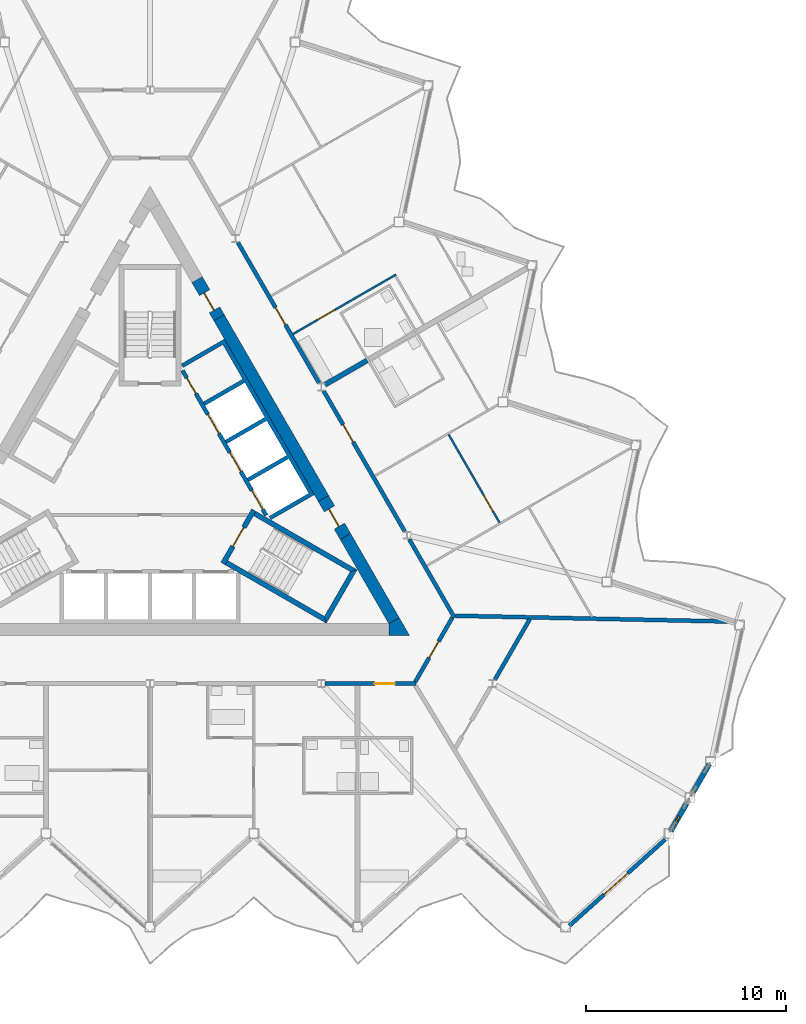
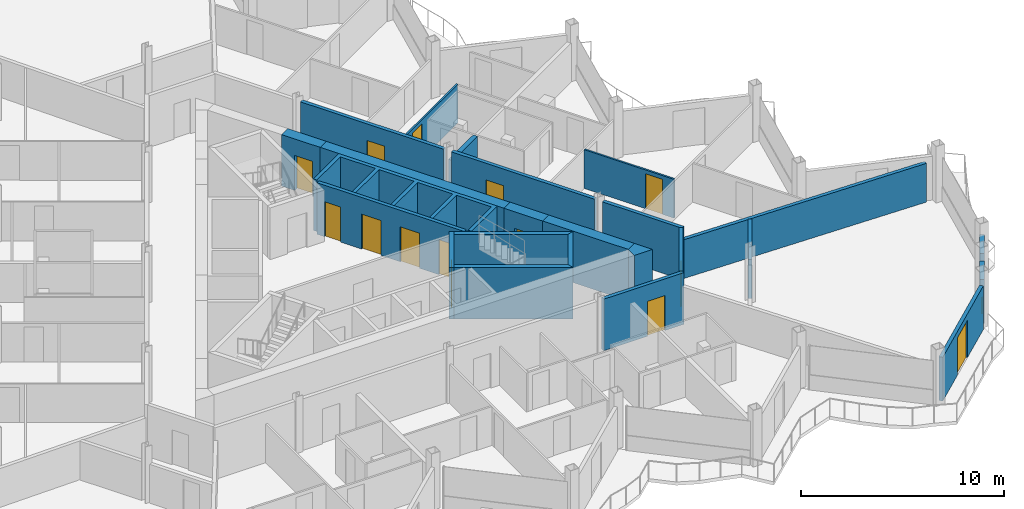
# One storey, part 15 of 25: 24 walls, 14 doors, 1 window, 15 openings.
"""IFC4 building model written with IfcOpenShell, lengths in metres."""

from ifc_helpers import new_model, si_unit, direction, frame, frame_2d, origin, place, context, subcontext, project, spatial, polyline, rectangle, outline, extrude, material, layer, layer_set, type_object, element, fill, save


model = new_model("IFC4")

# Units and contexts
model_context = context("Model", 3, precision=1e-05, world=origin(), true_north=direction((0.0, 1.0)))
body_context = subcontext(model_context, "Body", "Model", "MODEL_VIEW")
ifc_project = project(units=[si_unit("LENGTHUNIT", "METRE"), si_unit("AREAUNIT", "SQUARE_METRE"), si_unit("VOLUMEUNIT", "CUBIC_METRE"), si_unit("PLANEANGLEUNIT", "RADIAN"), si_unit("MASSUNIT", "GRAM", prefix="KILO")], contexts=[model_context])

# Site, building, storey
site_placement = place(None, origin())
site = spatial("IfcSite", under=ifc_project, at=site_placement, CompositionType="ELEMENT")
building_placement = place(site_placement, origin())
building = spatial("IfcBuilding", under=site, at=building_placement, Name="Cormorant Prow Tower", CompositionType="ELEMENT")
storey_placement = place(building_placement, frame((0.0, 0.0, 391.60009765625)))
storey = spatial("IfcBuildingStorey", under=building, at=storey_placement, Name="L89", CompositionType="ELEMENT", Elevation=391.60009765625)

# Walls
ifc_material_1 = material(Name="Concrete 8000 psi", Category="concrete")
ifc_layer_1 = layer(ifc_material_1, 0.60009765625)
ifc_layer_set_1 = layer_set([ifc_layer_1], Name="Concrete 8000 psi")
wall_type_1 = type_object("IfcWallType", Name="Core shear wall 600", PredefinedType="SHEAR", material=ifc_layer_set_1)
wall_1_placement = place(storey_placement, frame((8.686279296875, -0.6337890625, 0.0), z_axis=(0.0, 0.0, 1.0), x_axis=(-0.50001836461, 0.866014800712, 0.0)))
element("IfcWall", 1, at=wall_1_placement, inside=storey, type_object=wall_type_1, Name="Core wall", PredefinedType="SHEAR", context=body_context, shape_type="SweptSolid", body=[
    extrude(rectangle(XDim=10.45068359375, YDim=0.60009765625, at=frame_2d((5.225341796875, 0.0))), origin(), (0.0, 0.0, 1.0), 3.099853515625),
])
wall_2_placement = place(storey_placement, frame((12.220703125, -6.755615234375, 0.0), z_axis=(0.0, 0.0, 1.0), x_axis=(-0.50000604952, 0.866021911064, 0.0)))
element("IfcWall", 2, at=wall_2_placement, inside=storey, type_object=wall_type_1, Name="Core wall", PredefinedType="SHEAR", context=body_context, shape_type="SweptSolid", body=[
    extrude(rectangle(XDim=4.86865234375, YDim=0.60009765625, at=frame_2d((2.434326171875, 0.0))), origin(), (0.0, 0.0, 1.0), 3.099853515625),
])
wall_3_placement = place(storey_placement, origin())
element("IfcWall", 3, at=wall_3_placement, inside=storey, type_object=wall_type_1, Name="Core wall corner", PredefinedType="SHEAR", context=body_context, shape_type="SweptSolid", body=[
    extrude(outline(polyline([(11.960693359375, -7.505615234375), (11.960693359375, -6.905517578125), (12.48046875, -6.605712890625), (13.0, -7.505615234375), (11.960693359375, -7.505615234375)])), origin(), (0.0, 0.0, 1.0), 3.099853515625),
])

# Wall, opening, door
wall_4_placement = place(storey_placement, frame((9.786376953125, -2.539306640625, 0.0), z_axis=(0.0, 0.0, 1.0), x_axis=(-0.499981787252, 0.866035918664, 0.0)))
wall_4 = element("IfcWall", 4, at=wall_4_placement, inside=storey, type_object=wall_type_1, Name="Core wall door panel", PredefinedType="SHEAR", context=body_context, shape_type="SweptSolid", body=[
    extrude(rectangle(XDim=2.2001953125, YDim=0.60009765625, at=frame_2d((1.10009765625, 0.0))), origin(), (0.0, 0.0, 1.0), 3.099853515625),
])
opening_1_placement = place(wall_4_placement, frame((0.60009765625, 0.0, 0.0)))
opening_1 = element("IfcOpeningElement", 5, at=opening_1_placement, cuts=wall_4, Name="Opening L89-C16", PredefinedType="OPENING", context=body_context, shape_type="SweptSolid", body=[
    extrude(rectangle(XDim=1.0, YDim=2.10009765625, at=frame_2d((0.5, 1.050048828125))), frame((0.0, 0.31005859375, 0.0), z_axis=(0.0, -1.0, 0.0), x_axis=(1.0, 0.0, 0.0)), (0.0, 0.0, 1.0), 0.6201171875),
])
ifc_material_2 = material(Name="Painted steel", Category="steel")
door_type_1 = type_object("IfcDoorType", Name="Service door 1000x2100", OperationType="NOTDEFINED", PredefinedType="DOOR", material=ifc_material_2)
door_1_placement = place(opening_1_placement, origin())
door_1 = element("IfcDoor", 6, at=door_1_placement, inside=storey, type_object=door_type_1, Name="Core door, Telecom room", OperationType="SINGLE_SWING_LEFT", OverallHeight=2.10009765625, OverallWidth=1.0, PredefinedType="DOOR", context=body_context, shape_type="SweptSolid", body=[
    extrude(rectangle(XDim=1.0, YDim=2.10009765625, at=frame_2d((0.5, 1.050048828125))), frame((0.0, 0.05517578125, 0.0), z_axis=(0.0, -1.0, 0.0), x_axis=(1.0, 0.0, 0.0)), (0.0, 0.0, 1.0), 0.050048828125),
])
fill(opening_1, door_1)

wall_5_placement = place(storey_placement, frame((3.460693359375, 8.416748046875, 0.0), z_axis=(0.0, 0.0, 1.0), x_axis=(-0.499946605688, 0.86605622881, 0.0)))
wall_5 = element("IfcWall", 7, at=wall_5_placement, inside=storey, type_object=wall_type_1, Name="Core wall door panel", PredefinedType="SHEAR", context=body_context, shape_type="SweptSolid", body=[
    extrude(rectangle(XDim=2.199951171875, YDim=0.60009765625, at=frame_2d((1.10009765625, 0.0))), origin(), (0.0, 0.0, 1.0), 3.099853515625),
])
opening_2_placement = place(wall_5_placement, frame((0.449951171875, 0.0, 0.0)))
opening_2 = element("IfcOpeningElement", 8, at=opening_2_placement, cuts=wall_5, Name="Opening L89-C17", PredefinedType="OPENING", context=body_context, shape_type="SweptSolid", body=[
    extrude(rectangle(XDim=1.0, YDim=2.10009765625, at=frame_2d((0.5, 1.050048828125))), frame((0.0, 0.31005859375, 0.0), z_axis=(0.0, -1.0, 0.0), x_axis=(1.0, 0.0, 0.0)), (0.0, 0.0, 1.0), 0.6201171875),
])
door_2_placement = place(opening_2_placement, origin())
door_2 = element("IfcDoor", 9, at=door_2_placement, inside=storey, type_object=door_type_1, Name="Core door, Mechanical riser room", OperationType="SINGLE_SWING_RIGHT", OverallHeight=2.10009765625, OverallWidth=1.0, PredefinedType="DOOR", context=body_context, shape_type="SweptSolid", body=[
    extrude(rectangle(XDim=1.0, YDim=2.10009765625, at=frame_2d((0.5, 1.050048828125))), frame((0.0, 0.05517578125, 0.0), z_axis=(0.0, -1.0, 0.0), x_axis=(1.0, 0.0, 0.0)), (0.0, 0.0, 1.0), 0.050048828125),
])
fill(opening_2, door_2)

ifc_material_3 = material(Name="Gypsum board corridor wall")
ifc_layer_2 = layer(ifc_material_3, 0.199951171875)
ifc_layer_set_2 = layer_set([ifc_layer_2], Name="Gypsum board corridor wall")
wall_type_2 = type_object("IfcWallType", Name="Corridor wall 200", PredefinedType="PARTITIONING", material=ifc_layer_set_2)
wall_6_placement = place(storey_placement, frame((4.403076171875, 12.184814453125, 0.0), z_axis=(0.0, 0.0, 1.0), x_axis=(0.499992155518, -0.866029932751, 0.0)))
wall_6 = element("IfcWall", 10, at=wall_6_placement, inside=storey, type_object=wall_type_2, Name="Corridor wall", PredefinedType="PARTITIONING", context=body_context, shape_type="SweptSolid", body=[
    extrude(rectangle(XDim=8.123291015625, YDim=0.199951171875, at=frame_2d((4.0615234375, 0.0))), origin(), (0.0, 0.0, 1.0), 3.099853515625),
])
opening_3_placement = place(wall_6_placement, frame((3.762451171875, 0.0, 0.0)))
opening_3 = element("IfcOpeningElement", 11, at=opening_3_placement, cuts=wall_6, Name="Opening L89-F25", PredefinedType="OPENING", context=body_context, shape_type="SweptSolid", body=[
    extrude(rectangle(XDim=1.0, YDim=2.10009765625, at=frame_2d((0.5, 1.050048828125))), frame((0.0, 0.10986328125, 0.0), z_axis=(0.0, -1.0, 0.0), x_axis=(1.0, 0.0, 0.0)), (0.0, 0.0, 1.0), 0.219970703125),
])
ifc_material_4 = material(Name="Timber door leaf", Category="wood")
door_type_2 = type_object("IfcDoorType", Name="Flat or room entrance door 1000x2100", OperationType="NOTDEFINED", PredefinedType="DOOR", material=ifc_material_4)
door_3_placement = place(opening_3_placement, origin())
door_3 = element("IfcDoor", 12, at=door_3_placement, inside=storey, type_object=door_type_2, Name="Living room door", OperationType="SINGLE_SWING_LEFT", OverallHeight=2.10009765625, OverallWidth=1.0, PredefinedType="DOOR", context=body_context, shape_type="SweptSolid", body=[
    extrude(rectangle(XDim=1.0, YDim=2.10009765625, at=frame_2d((0.5, 1.050048828125))), frame((0.0, 0.02490234375, 0.0), z_axis=(0.0, -1.0, 0.0), x_axis=(1.0, 0.0, 0.0)), (0.0, 0.0, 1.0), 0.050048828125),
])
fill(opening_3, door_3)

wall_7_placement = place(storey_placement, frame((8.692138671875, 4.755859375, 0.0), z_axis=(0.0, 0.0, 1.0), x_axis=(0.500001682468, -0.866024432409, 0.0)))
wall_7 = element("IfcWall", 13, at=wall_7_placement, inside=storey, type_object=wall_type_2, Name="Corridor wall", PredefinedType="PARTITIONING", context=body_context, shape_type="SweptSolid", body=[
    extrude(rectangle(XDim=8.12353515625, YDim=0.199951171875, at=frame_2d((4.061767578125, 0.0))), origin(), (0.0, 0.0, 1.0), 3.099853515625),
])
opening_4_placement = place(wall_7_placement, frame((1.9560546875, 0.0, 0.0)))
opening_4 = element("IfcOpeningElement", 14, at=opening_4_placement, cuts=wall_7, Name="Opening L89-F18", PredefinedType="OPENING", context=body_context, shape_type="SweptSolid", body=[
    extrude(rectangle(XDim=1.0, YDim=2.10009765625, at=frame_2d((0.5, 1.050048828125))), frame((0.0, 0.10986328125, 0.0), z_axis=(0.0, -1.0, 0.0), x_axis=(1.0, 0.0, 0.0)), (0.0, 0.0, 1.0), 0.219970703125),
])
door_4_placement = place(opening_4_placement, origin())
door_4 = element("IfcDoor", 15, at=door_4_placement, inside=storey, type_object=door_type_2, Name="Living room door", OperationType="SINGLE_SWING_LEFT", OverallHeight=2.10009765625, OverallWidth=1.0, PredefinedType="DOOR", context=body_context, shape_type="SweptSolid", body=[
    extrude(rectangle(XDim=1.0, YDim=2.10009765625, at=frame_2d((0.5, 1.050048828125))), frame((0.0, 0.02490234375, 0.0), z_axis=(0.0, -1.0, 0.0), x_axis=(1.0, 0.0, 0.0)), (0.0, 0.0, 1.0), 0.050048828125),
])
fill(opening_4, door_4)

wall_8_placement = place(storey_placement, frame((8.775390625, -9.905517578125, 0.0), z_axis=(0.0, 0.0, 1.0), x_axis=(1.0, 0.0, 0.0)))
wall_8 = element("IfcWall", 16, at=wall_8_placement, inside=storey, type_object=wall_type_2, Name="Corridor wall", PredefinedType="PARTITIONING", context=body_context, shape_type="SweptSolid", body=[
    extrude(rectangle(XDim=4.555419921875, YDim=0.199951171875, at=frame_2d((2.27783203125, 0.0))), origin(), (0.0, 0.0, 1.0), 3.099853515625),
])
opening_5_placement = place(wall_8_placement, frame((2.49072265625, 0.0, 0.0)))
opening_5 = element("IfcOpeningElement", 17, at=opening_5_placement, cuts=wall_8, Name="Opening L89-F14", PredefinedType="OPENING", context=body_context, shape_type="SweptSolid", body=[
    extrude(rectangle(XDim=1.0, YDim=2.10009765625, at=frame_2d((0.5, 1.050048828125))), frame((0.0, 0.10986328125, 0.0), z_axis=(0.0, -1.0, 0.0), x_axis=(1.0, 0.0, 0.0)), (0.0, 0.0, 1.0), 0.219970703125),
])
door_5_placement = place(opening_5_placement, origin())
door_5 = element("IfcDoor", 18, at=door_5_placement, inside=storey, type_object=door_type_2, Name="Studio living, kitchen and sleeping room door", OperationType="SINGLE_SWING_LEFT", OverallHeight=2.10009765625, OverallWidth=1.0, PredefinedType="DOOR", context=body_context, shape_type="SweptSolid", body=[
    extrude(rectangle(XDim=1.0, YDim=2.10009765625, at=frame_2d((0.5, 1.050048828125))), frame((0.0, 0.02490234375, 0.0), z_axis=(0.0, -1.0, 0.0), x_axis=(1.0, 0.0, 0.0)), (0.0, 0.0, 1.0), 0.050048828125),
])
fill(opening_5, door_5)

# Wall
wall_9_placement = place(storey_placement, frame((12.9814453125, -2.67333984375, 0.0), z_axis=(0.0, 0.0, 1.0), x_axis=(0.499974648164, -0.866040040179, 0.0)))
element("IfcWall", 19, at=wall_9_placement, inside=storey, type_object=wall_type_2, Name="Corridor wall", PredefinedType="PARTITIONING", context=body_context, shape_type="SweptSolid", body=[
    extrude(rectangle(XDim=4.525146484375, YDim=0.199951171875, at=frame_2d((2.2626953125, 0.0))), origin(), (0.0, 0.0, 1.0), 3.099853515625),
])

# Wall, opening, door
wall_10_placement = place(storey_placement, frame((13.281005859375, -9.819091796875, 0.0), z_axis=(0.0, 0.0, 1.0), x_axis=(0.499958791762, 0.866049194065, 0.0)))
wall_10 = element("IfcWall", 20, at=wall_10_placement, inside=storey, type_object=wall_type_2, Name="Corridor wall", PredefinedType="PARTITIONING", context=body_context, shape_type="SweptSolid", body=[
    extrude(rectangle(XDim=3.725830078125, YDim=0.199951171875, at=frame_2d((1.86279296875, 0.0))), origin(), (0.0, 0.0, 1.0), 3.099853515625),
])
opening_6_placement = place(wall_10_placement, frame((1.387939453125, 0.0, 0.0)))
opening_6 = element("IfcOpeningElement", 21, at=opening_6_placement, cuts=wall_10, Name="Opening L89-F16", PredefinedType="OPENING", context=body_context, shape_type="SweptSolid", body=[
    extrude(rectangle(XDim=0.949951171875, YDim=2.10009765625, at=frame_2d((0.47509765625, 1.050048828125))), frame((0.0, 0.10986328125, 0.0), z_axis=(0.0, -1.0, 0.0), x_axis=(1.0, 0.0, 0.0)), (0.0, 0.0, 1.0), 0.219970703125),
])
ifc_material_5 = material(Name="Timber door leaf", Category="wood")
door_type_3 = type_object("IfcDoorType", Name="Store door 950x2100", OperationType="NOTDEFINED", PredefinedType="DOOR", material=ifc_material_5)
door_6_placement = place(opening_6_placement, origin())
door_6 = element("IfcDoor", 22, at=door_6_placement, inside=storey, type_object=door_type_3, Name="Refuse room door", OperationType="SINGLE_SWING_RIGHT", OverallHeight=2.10009765625, OverallWidth=0.949951171875, PredefinedType="DOOR", context=body_context, shape_type="SweptSolid", body=[
    extrude(rectangle(XDim=0.949951171875, YDim=2.10009765625, at=frame_2d((0.47509765625, 1.050048828125))), frame((0.0, 0.02490234375, 0.0), z_axis=(0.0, -1.0, 0.0), x_axis=(1.0, 0.0, 0.0)), (0.0, 0.0, 1.0), 0.050048828125),
])
fill(opening_6, door_6)

# Walls
ifc_material_6 = material(Name="Gypsum board demising wall")
ifc_layer_3 = layer(ifc_material_6, 0.199951171875)
ifc_layer_set_3 = layer_set([ifc_layer_3], Name="Gypsum board demising wall")
wall_type_3 = type_object("IfcWallType", Name="Demising wall 200", PredefinedType="PARTITIONING", material=ifc_layer_set_3)
wall_11_placement = place(storey_placement, frame((15.2939453125, -6.507568359375, 0.0), z_axis=(0.0, 0.0, 1.0), x_axis=(0.999775726416, -0.02117774467, 0.0)))
element("IfcWall", 23, at=wall_11_placement, inside=storey, type_object=wall_type_3, Name="Demising wall", PredefinedType="PARTITIONING", context=body_context, shape_type="SweptSolid", body=[
    extrude(rectangle(XDim=13.637939453125, YDim=0.199951171875, at=frame_2d((6.81884765625, 0.0))), origin(), (0.0, 0.0, 1.0), 2.330078125),
])
wall_12_placement = place(storey_placement, frame((17.270751953125, -9.70849609375, 0.0), z_axis=(0.0, 0.0, 1.0), x_axis=(0.499983843005, 0.866034731829, 0.0)))
element("IfcWall", 24, at=wall_12_placement, inside=storey, type_object=wall_type_3, Name="Demising wall", PredefinedType="PARTITIONING", context=body_context, shape_type="SweptSolid", body=[
    extrude(rectangle(XDim=3.50341796875, YDim=0.199951171875, at=frame_2d((1.751708984375, 0.0))), origin(), (0.0, 0.0, 1.0), 2.330078125),
])

# Wall, opening, door
ifc_material_7 = material(Name="Gypsum board partition")
ifc_layer_4 = layer(ifc_material_7, 0.10009765625)
ifc_layer_set_4 = layer_set([ifc_layer_4], Name="Gypsum board partition")
wall_type_4 = type_object("IfcWallType", Name="Internal partition 100", PredefinedType="PARTITIONING", material=ifc_layer_set_4)
wall_13_placement = place(storey_placement, frame((7.1650390625, 7.600830078125, 0.0), z_axis=(0.0, 0.0, 1.0), x_axis=(0.866017493347, 0.500013701029, 0.0)))
wall_13 = element("IfcWall", 25, at=wall_13_placement, inside=storey, type_object=wall_type_4, Name="Internal partition", PredefinedType="PARTITIONING", context=body_context, shape_type="SweptSolid", body=[
    extrude(rectangle(XDim=5.949951171875, YDim=0.10009765625, at=frame_2d((2.97509765625, 0.0))), origin(), (0.0, 0.0, 1.0), 2.330078125),
])
opening_7_placement = place(wall_13_placement, frame((1.449951171875, 0.0, 0.0)))
opening_7 = element("IfcOpeningElement", 26, at=opening_7_placement, cuts=wall_13, Name="Opening L89-F27", PredefinedType="OPENING", context=body_context, shape_type="SweptSolid", body=[
    extrude(rectangle(XDim=0.949951171875, YDim=2.10009765625, at=frame_2d((0.47509765625, 1.050048828125))), frame((0.0, 0.06005859375, 0.0), z_axis=(0.0, -1.0, 0.0), x_axis=(1.0, 0.0, 0.0)), (0.0, 0.0, 1.0), 0.1201171875),
])
ifc_material_8 = material(Name="Timber door leaf", Category="wood")
door_type_4 = type_object("IfcDoorType", Name="Bathroom door 950x2100", OperationType="NOTDEFINED", PredefinedType="DOOR", material=ifc_material_8)
door_7_placement = place(opening_7_placement, origin())
door_7 = element("IfcDoor", 27, at=door_7_placement, inside=storey, type_object=door_type_4, Name="Living room door", OperationType="SINGLE_SWING_RIGHT", OverallHeight=2.10009765625, OverallWidth=0.949951171875, PredefinedType="DOOR", context=body_context, shape_type="SweptSolid", body=[
    extrude(rectangle(XDim=0.949951171875, YDim=2.10009765625, at=frame_2d((0.47509765625, 1.050048828125))), frame((0.0, 0.02490234375, 0.0), z_axis=(0.0, -1.0, 0.0), x_axis=(1.0, 0.0, 0.0)), (0.0, 0.0, 1.0), 0.050048828125),
])
fill(opening_7, door_7)

wall_14_placement = place(storey_placement, frame((14.954345703125, 2.57177734375, 0.0), z_axis=(0.0, 0.0, 1.0), x_axis=(0.499984882974, -0.866034131428, 0.0)))
wall_14 = element("IfcWall", 28, at=wall_14_placement, inside=storey, type_object=wall_type_4, Name="Internal partition", PredefinedType="PARTITIONING", context=body_context, shape_type="SweptSolid", body=[
    extrude(rectangle(XDim=5.100341796875, YDim=0.10009765625, at=frame_2d((2.55029296875, 0.0))), origin(), (0.0, 0.0, 1.0), 2.330078125),
])
opening_8_placement = place(wall_14_placement, frame((3.494384765625, 0.0, 0.0)))
opening_8 = element("IfcOpeningElement", 29, at=opening_8_placement, cuts=wall_14, Name="Opening L89-F22", PredefinedType="OPENING", context=body_context, shape_type="SweptSolid", body=[
    extrude(rectangle(XDim=0.949951171875, YDim=2.10009765625, at=frame_2d((0.47509765625, 1.050048828125))), frame((0.0, 0.06005859375, 0.0), z_axis=(0.0, -1.0, 0.0), x_axis=(1.0, 0.0, 0.0)), (0.0, 0.0, 1.0), 0.1201171875),
])
door_8_placement = place(opening_8_placement, origin())
door_8 = element("IfcDoor", 30, at=door_8_placement, inside=storey, type_object=door_type_4, Name="Bedroom door", OperationType="SINGLE_SWING_RIGHT", OverallHeight=2.10009765625, OverallWidth=0.949951171875, PredefinedType="DOOR", context=body_context, shape_type="SweptSolid", body=[
    extrude(rectangle(XDim=0.949951171875, YDim=2.10009765625, at=frame_2d((0.47509765625, 1.050048828125))), frame((0.0, 0.02490234375, 0.0), z_axis=(0.0, -1.0, 0.0), x_axis=(1.0, 0.0, 0.0)), (0.0, 0.0, 1.0), 0.050048828125),
])
fill(opening_8, door_8)

# Wall, openings, doors
ifc_material_9 = material(Name="Concrete 5000 psi", Category="concrete")
ifc_layer_5 = layer(ifc_material_9, 0.199951171875)
ifc_layer_set_5 = layer_set([ifc_layer_5], Name="Concrete 5000 psi")
wall_type_5 = type_object("IfcWallType", Name="Lift lobby wall 200", PredefinedType="SOLIDWALL", material=ifc_layer_set_5)
wall_15_placement = place(storey_placement, frame((5.817138671875, -1.4755859375, 0.0), z_axis=(0.0, 0.0, 1.0), x_axis=(-0.500002616675, 0.866023893041, 0.0)))
wall_15 = element("IfcWall", 31, at=wall_15_placement, inside=storey, type_object=wall_type_5, Name="Lift lobby wall, ENE block", PredefinedType="SOLIDWALL", context=body_context, shape_type="SweptSolid", body=[
    extrude(rectangle(XDim=8.373046875, YDim=0.199951171875, at=frame_2d((4.1865234375, 0.0))), origin(), (0.0, 0.0, 1.0), 3.099853515625),
])
opening_9_placement = place(wall_15_placement, frame((0.336669921875, 0.0, 0.0)))
opening_9 = element("IfcOpeningElement", 32, at=opening_9_placement, cuts=wall_15, Name="Opening L89-C05", PredefinedType="OPENING", context=body_context, shape_type="SweptSolid", body=[
    extrude(rectangle(XDim=1.10009765625, YDim=2.10009765625, at=frame_2d((0.550048828125, 1.050048828125))), frame((0.0, 0.10986328125, 0.0), z_axis=(0.0, -1.0, 0.0), x_axis=(1.0, 0.0, 0.0)), (0.0, 0.0, 1.0), 0.219970703125),
])
opening_10_placement = place(wall_15_placement, frame((2.53662109375, 0.0, 0.0)))
opening_10 = element("IfcOpeningElement", 33, at=opening_10_placement, cuts=wall_15, Name="Opening L89-C06", PredefinedType="OPENING", context=body_context, shape_type="SweptSolid", body=[
    extrude(rectangle(XDim=1.10009765625, YDim=2.10009765625, at=frame_2d((0.550048828125, 1.050048828125))), frame((0.0, 0.10986328125, 0.0), z_axis=(0.0, -1.0, 0.0), x_axis=(1.0, 0.0, 0.0)), (0.0, 0.0, 1.0), 0.219970703125),
])
opening_11_placement = place(wall_15_placement, frame((4.736572265625, 0.0, 0.0)))
opening_11 = element("IfcOpeningElement", 34, at=opening_11_placement, cuts=wall_15, Name="Opening L89-C07", PredefinedType="OPENING", context=body_context, shape_type="SweptSolid", body=[
    extrude(rectangle(XDim=1.10009765625, YDim=2.10009765625, at=frame_2d((0.550048828125, 1.050048828125))), frame((0.0, 0.10986328125, 0.0), z_axis=(0.0, -1.0, 0.0), x_axis=(1.0, 0.0, 0.0)), (0.0, 0.0, 1.0), 0.219970703125),
])
opening_12_placement = place(wall_15_placement, frame((7.03662109375, 0.0, 0.0)))
opening_12 = element("IfcOpeningElement", 35, at=opening_12_placement, cuts=wall_15, Name="Opening L89-C08", PredefinedType="OPENING", context=body_context, shape_type="SweptSolid", body=[
    extrude(rectangle(XDim=0.89990234375, YDim=2.10009765625, at=frame_2d((0.449951171875, 1.050048828125))), frame((0.0, 0.10986328125, 0.0), z_axis=(0.0, -1.0, 0.0), x_axis=(1.0, 0.0, 0.0)), (0.0, 0.0, 1.0), 0.219970703125),
])
ifc_material_10 = material(Name="Painted steel", Category="steel")
door_type_5 = type_object("IfcDoorType", Name="Lift landing door 1100x2100", OperationType="SLIDING_TO_LEFT", PredefinedType="DOOR", material=ifc_material_10)
door_9_placement = place(opening_9_placement, origin())
door_9 = element("IfcDoor", 36, at=door_9_placement, inside=storey, type_object=door_type_5, Name="Landing door HR2", OperationType="SLIDING_TO_LEFT", OverallHeight=2.10009765625, OverallWidth=1.10009765625, PredefinedType="DOOR", context=body_context, shape_type="SweptSolid", body=[
    extrude(rectangle(XDim=1.10009765625, YDim=2.10009765625, at=frame_2d((0.550048828125, 1.050048828125))), frame((0.0, 0.02490234375, 0.0), z_axis=(0.0, -1.0, 0.0), x_axis=(1.0, 0.0, 0.0)), (0.0, 0.0, 1.0), 0.050048828125),
])
fill(opening_9, door_9)
door_10_placement = place(opening_10_placement, origin())
door_10 = element("IfcDoor", 37, at=door_10_placement, inside=storey, type_object=door_type_5, Name="Landing door HR3", OperationType="SLIDING_TO_LEFT", OverallHeight=2.10009765625, OverallWidth=1.10009765625, PredefinedType="DOOR", context=body_context, shape_type="SweptSolid", body=[
    extrude(rectangle(XDim=1.10009765625, YDim=2.10009765625, at=frame_2d((0.550048828125, 1.050048828125))), frame((0.0, 0.02490234375, 0.0), z_axis=(0.0, -1.0, 0.0), x_axis=(1.0, 0.0, 0.0)), (0.0, 0.0, 1.0), 0.050048828125),
])
fill(opening_10, door_10)
door_11_placement = place(opening_11_placement, origin())
door_11 = element("IfcDoor", 38, at=door_11_placement, inside=storey, type_object=door_type_5, Name="Landing door HR4", OperationType="SLIDING_TO_LEFT", OverallHeight=2.10009765625, OverallWidth=1.10009765625, PredefinedType="DOOR", context=body_context, shape_type="SweptSolid", body=[
    extrude(rectangle(XDim=1.10009765625, YDim=2.10009765625, at=frame_2d((0.550048828125, 1.050048828125))), frame((0.0, 0.02490234375, 0.0), z_axis=(0.0, -1.0, 0.0), x_axis=(1.0, 0.0, 0.0)), (0.0, 0.0, 1.0), 0.050048828125),
])
fill(opening_11, door_11)
ifc_material_11 = material(Name="Painted steel", Category="steel")
door_type_6 = type_object("IfcDoorType", Name="Service door 900x2100", OperationType="NOTDEFINED", PredefinedType="DOOR", material=ifc_material_11)
door_12_placement = place(opening_12_placement, origin())
door_12 = element("IfcDoor", 39, at=door_12_placement, inside=storey, type_object=door_type_6, Name="Service door, Telecom room", OperationType="SINGLE_SWING_RIGHT", OverallHeight=2.10009765625, OverallWidth=0.89990234375, PredefinedType="DOOR", context=body_context, shape_type="SweptSolid", body=[
    extrude(rectangle(XDim=0.89990234375, YDim=2.10009765625, at=frame_2d((0.449951171875, 1.050048828125))), frame((0.0, 0.02490234375, 0.0), z_axis=(0.0, -1.0, 0.0), x_axis=(1.0, 0.0, 0.0)), (0.0, 0.0, 1.0), 0.050048828125),
])
fill(opening_12, door_12)

# Walls
ifc_material_12 = material(Name="Concrete 8000 psi", Category="concrete")
ifc_layer_6 = layer(ifc_material_12, 0.199951171875)
ifc_layer_set_6 = layer_set([ifc_layer_6], Name="Concrete 8000 psi")
wall_type_6 = type_object("IfcWallType", Name="Lift shaft wall 200", PredefinedType="SHEAR", material=ifc_layer_set_6)
wall_16_placement = place(storey_placement, origin())
element("IfcWall", 40, at=wall_16_placement, inside=storey, type_object=wall_type_6, Name="Lift shaft walls, ENE block", PredefinedType="SHEAR", context=body_context, shape_type="SweptSolid", body=[
    extrude(outline(polyline([(1.560546875, 6.09716796875), (3.730712890625, 7.35009765625), (8.230712890625, -0.444091796875), (6.060546875, -1.697021484375), (5.96044921875, -1.52392578125), (7.952392578125, -0.373779296875), (6.952392578125, 1.358154296875), (4.96044921875, 0.2080078125), (4.860595703125, 0.38134765625), (6.852294921875, 1.53125), (5.852294921875, 3.263427734375), (3.860595703125, 2.11328125), (3.760498046875, 2.28662109375), (5.75244140625, 3.4365234375), (4.75244140625, 5.168701171875), (2.760498046875, 4.018798828125), (2.660400390625, 4.19189453125), (4.65234375, 5.341796875), (3.65234375, 7.073974609375), (1.660400390625, 5.923828125), (1.560546875, 6.09716796875)])), origin(), (0.0, 0.0, 1.0), 3.099853515625),
])
ifc_material_13 = material(Name="Concrete 8000 psi", Category="concrete")
ifc_layer_7 = layer(ifc_material_13, 0.25)
ifc_layer_set_7 = layer_set([ifc_layer_7], Name="Concrete 8000 psi")
wall_type_7 = type_object("IfcWallType", Name="Stair wall 250", PredefinedType="SHEAR", material=ifc_layer_set_7)
wall_17_placement = place(storey_placement, origin())
element("IfcWall", 41, at=wall_17_placement, inside=storey, type_object=wall_type_7, Name="Stair ST2 enclosure wall (flank)", PredefinedType="SHEAR", context=body_context, shape_type="SweptSolid", body=[
    extrude(outline(polyline([(3.76318359375, -3.95556640625), (8.82958984375, -6.880615234375), (8.738037109375, -6.5390625), (3.88818359375, -3.739013671875), (3.76318359375, -3.95556640625)])), origin(), (0.0, 0.0, 1.0), 3.099853515625),
])
wall_18_placement = place(storey_placement, origin())
element("IfcWall", 42, at=wall_18_placement, inside=storey, type_object=wall_type_7, Name="Stair ST2 enclosure wall (end)", PredefinedType="SHEAR", context=body_context, shape_type="SweptSolid", body=[
    extrude(outline(polyline([(8.82958984375, -6.880615234375), (10.37353515625, -4.206298828125), (10.031982421875, -4.2978515625), (8.738037109375, -6.5390625), (8.82958984375, -6.880615234375)])), origin(), (0.0, 0.0, 1.0), 3.099853515625),
])
wall_19_placement = place(storey_placement, origin())
element("IfcWall", 43, at=wall_19_placement, inside=storey, type_object=wall_type_7, Name="Stair ST2 enclosure wall (flank)", PredefinedType="SHEAR", context=body_context, shape_type="SweptSolid", body=[
    extrude(outline(polyline([(10.031982421875, -4.2978515625), (10.37353515625, -4.206298828125), (5.30712890625, -1.28125), (5.18212890625, -1.497802734375), (10.031982421875, -4.2978515625)])), origin(), (0.0, 0.0, 1.0), 3.099853515625),
])

# Wall, opening, door
wall_20_placement = place(storey_placement, frame((3.655029296875, -3.89306640625, 0.0), z_axis=(0.0, 0.0, 1.0), x_axis=(0.499982516597, 0.866035497597, 0.0)))
wall_20 = element("IfcWall", 44, at=wall_20_placement, inside=storey, type_object=wall_type_7, Name="Stair ST2 door wall", PredefinedType="SHEAR", context=body_context, shape_type="SweptSolid", body=[
    extrude(rectangle(XDim=3.087890625, YDim=0.25, at=frame_2d((1.5439453125, 0.0))), origin(), (0.0, 0.0, 1.0), 3.099853515625),
])
opening_13_placement = place(wall_20_placement, frame((0.993896484375, 0.0, 0.0)))
opening_13 = element("IfcOpeningElement", 45, at=opening_13_placement, cuts=wall_20, Name="Opening L89-C13", PredefinedType="OPENING", context=body_context, shape_type="SweptSolid", body=[
    extrude(rectangle(XDim=1.10009765625, YDim=2.10009765625, at=frame_2d((0.550048828125, 1.050048828125))), frame((0.0, 0.135009765625, 0.0), z_axis=(0.0, -1.0, 0.0), x_axis=(1.0, 0.0, 0.0)), (0.0, 0.0, 1.0), 0.27001953125),
])
ifc_material_14 = material(Name="Painted steel", Category="steel")
door_type_7 = type_object("IfcDoorType", Name="Stair door 1100x2100", OperationType="NOTDEFINED", PredefinedType="DOOR", material=ifc_material_14)
door_13_placement = place(opening_13_placement, origin())
door_13 = element("IfcDoor", 46, at=door_13_placement, inside=storey, type_object=door_type_7, Name="Stair ST2 door", OperationType="SINGLE_SWING_RIGHT", OverallHeight=2.10009765625, OverallWidth=1.10009765625, PredefinedType="DOOR", context=body_context, shape_type="SweptSolid", body=[
    extrude(rectangle(XDim=1.10009765625, YDim=2.10009765625, at=frame_2d((0.550048828125, 1.050048828125))), frame((0.0, 0.02490234375, 0.0), z_axis=(0.0, -1.0, 0.0), x_axis=(1.0, 0.0, 0.0)), (0.0, 0.0, 1.0), 0.050048828125),
])
fill(opening_13, door_13)

# Wall
ifc_material_15 = material(Name="Acoustic gypsum party wall")
ifc_layer_8 = layer(ifc_material_15, 0.25)
ifc_layer_set_8 = layer_set([ifc_layer_8], Name="Acoustic gypsum party wall")
wall_type_8 = type_object("IfcWallType", Name="Suite party wall 250", PredefinedType="PARTITIONING", material=ifc_layer_set_8)
wall_21_placement = place(storey_placement, frame((8.775390625, 5.06640625, 0.0), z_axis=(0.0, 0.0, 1.0), x_axis=(0.865989219354, 0.500062668036, 0.0)))
element("IfcWall", 47, at=wall_21_placement, inside=storey, type_object=wall_type_8, Name="Suite party wall", PredefinedType="PARTITIONING", context=body_context, shape_type="SweptSolid", body=[
    extrude(rectangle(XDim=2.422607421875, YDim=0.25, at=frame_2d((1.21142578125, 0.0))), origin(), (0.0, 0.0, 1.0), 2.330078125),
])

# Wall, opening, window
ifc_material_16 = material(Name="Terracotta", Category="masonry")
ifc_layer_9 = layer(ifc_material_16, 0.25)
ifc_layer_set_9 = layer_set([ifc_layer_9], Name="Terracotta")
wall_type_9 = type_object("IfcWallType", Name="Terracotta bay wall 250", PredefinedType="SOLIDWALL", material=ifc_layer_set_9)
wall_22_placement = place(storey_placement, frame((26.07470703125, -17.285400390625, 0.0), z_axis=(0.0, 0.0, 1.0), x_axis=(0.500017882314, 0.866015079179, 0.0)))
wall_22 = element("IfcWall", 48, at=wall_22_placement, inside=storey, type_object=wall_type_9, Name="Terracotta bay wall ESE00", PredefinedType="SOLIDWALL", context=body_context, shape_type="SweptSolid", body=[
    extrude(rectangle(XDim=1.59765625, YDim=0.25, at=frame_2d((0.798828125, 0.0))), origin(), (0.0, 0.0, 1.0), 2.6337890625),
])
opening_14_placement = place(wall_22_placement, frame((0.25, 0.0, 0.39990234375)))
opening_14 = element("IfcOpeningElement", 49, at=opening_14_placement, cuts=wall_22, Name="Opening WN10", PredefinedType="OPENING", context=body_context, shape_type="SweptSolid", body=[
    extrude(rectangle(XDim=0.60009765625, YDim=0.60009765625, at=frame_2d((0.300048828125, 0.300048828125))), frame((0.0, 0.135009765625, 0.0), z_axis=(0.0, -1.0, 0.0), x_axis=(1.0, 0.0, 0.0)), (0.0, 0.0, 1.0), 0.27001953125),
])
ifc_material_17 = material(Name="Aluminium 6063-T6", Category="aluminium")
window_type = type_object("IfcWindowType", Name="Corner bay window 600x600", PartitioningType="SINGLE_PANEL", PredefinedType="WINDOW", material=ifc_material_17)
window_placement = place(opening_14_placement, origin())
window = element("IfcWindow", 50, at=window_placement, inside=storey, type_object=window_type, Name="Corner bay window ESE00", OverallHeight=0.60009765625, OverallWidth=0.60009765625, PartitioningType="SINGLE_PANEL", PredefinedType="WINDOW", context=body_context, shape_type="SweptSolid", body=[
    extrude(rectangle(XDim=0.60009765625, YDim=0.60009765625, at=frame_2d((0.300048828125, 0.300048828125))), frame((0.0, 0.030029296875, 0.0), z_axis=(0.0, -1.0, 0.0), x_axis=(1.0, 0.0, 0.0)), (0.0, 0.0, 1.0), 0.06005859375),
])
fill(opening_14, window)

# Wall
wall_23_placement = place(storey_placement, frame((27.200927734375, -15.334716796875, 0.0), z_axis=(0.0, 0.0, 1.0), x_axis=(0.499967189098, 0.866044346339, 0.0)))
element("IfcWall", 51, at=wall_23_placement, inside=storey, type_object=wall_type_9, Name="Terracotta bay wall ESE01", PredefinedType="SOLIDWALL", context=body_context, shape_type="SweptSolid", body=[
    extrude(rectangle(XDim=1.61181640625, YDim=0.25, at=frame_2d((0.805908203125, 0.0))), origin(), (0.0, 0.0, 1.0), 2.6337890625),
])

# Wall, opening, door
ifc_material_18 = material(Name="Terracotta", Category="masonry")
ifc_layer_10 = layer(ifc_material_18, 0.199951171875)
ifc_layer_set_10 = layer_set([ifc_layer_10], Name="Terracotta")
wall_type_10 = type_object("IfcWallType", Name="Terracotta jamb wall 200", PredefinedType="SOLIDWALL", material=ifc_layer_set_10)
wall_24_placement = place(storey_placement, frame((21.005126953125, -22.027587890625, 0.0), z_axis=(0.0, 0.0, 1.0), x_axis=(0.743136196971, 0.669140189162, 0.0)))
wall_24 = element("IfcWall", 52, at=wall_24_placement, inside=storey, type_object=wall_type_10, Name="Terracotta jamb wall S09", PredefinedType="SOLIDWALL", context=body_context, shape_type="SweptSolid", body=[
    extrude(rectangle(XDim=6.456787109375, YDim=0.199951171875, at=frame_2d((3.228515625, 0.0))), origin(), (0.0, 0.0, 1.0), 2.6337890625),
])
opening_15_placement = place(wall_24_placement, frame((2.332763671875, 0.0, 0.0)))
opening_15 = element("IfcOpeningElement", 53, at=opening_15_placement, cuts=wall_24, Name="Opening ED89.05", PredefinedType="OPENING", context=body_context, shape_type="SweptSolid", body=[
    extrude(rectangle(XDim=1.60009765625, YDim=2.25, at=frame_2d((0.800048828125, 1.125))), frame((0.0, 0.10986328125, 0.0), z_axis=(0.0, -1.0, 0.0), x_axis=(1.0, 0.0, 0.0)), (0.0, 0.0, 1.0), 0.219970703125),
])
ifc_material_19 = material(Name="Aluminium 6063-T6", Category="aluminium")
door_type_8 = type_object("IfcDoorType", Name="Balcony door 1600x2250", OperationType="DOUBLE_DOOR_SINGLE_SWING", PredefinedType="DOOR", material=ifc_material_19)
door_14_placement = place(opening_15_placement, origin())
door_14 = element("IfcDoor", 54, at=door_14_placement, inside=storey, type_object=door_type_8, Name="Balcony door S09 ED89.05", OperationType="DOUBLE_DOOR_SINGLE_SWING", OverallHeight=2.25, OverallWidth=1.60009765625, PredefinedType="DOOR", context=body_context, shape_type="SweptSolid", body=[
    extrude(rectangle(XDim=1.60009765625, YDim=2.25, at=frame_2d((0.800048828125, 1.125))), frame((0.0, 0.02490234375, 0.0), z_axis=(0.0, -1.0, 0.0), x_axis=(1.0, 0.0, 0.0)), (0.0, 0.0, 1.0), 0.050048828125),
])
fill(opening_15, door_14)

save(model, "model.ifc")
